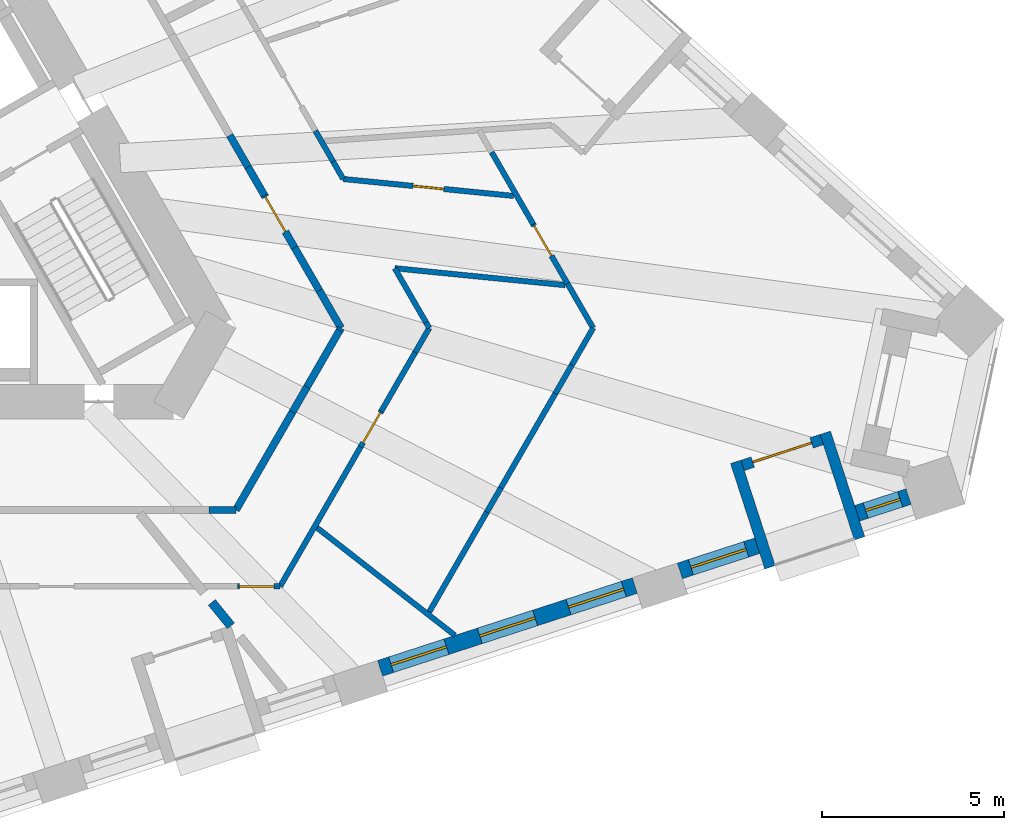
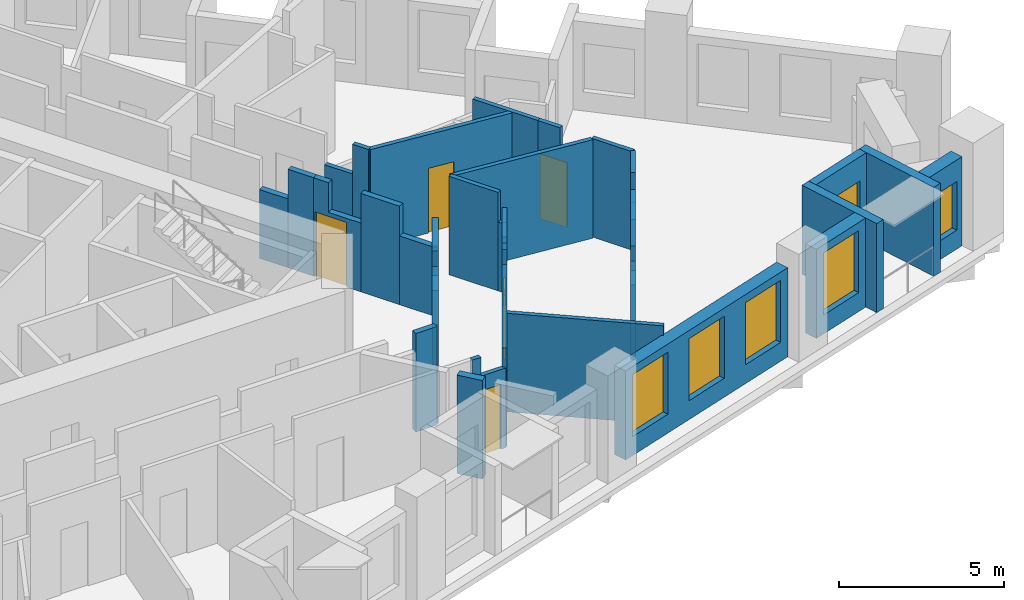
# One storey, part 6 of 13: 37 walls, 6 doors, 5 windows, 11 openings.
"""IFC4 building model written with IfcOpenShell, lengths in metres."""

from ifc_helpers import new_model, si_unit, direction, frame, frame_2d, origin, place, context, subcontext, project, spatial, polyline, rectangle, outline, extrude, material, layer, layer_set, type_object, element, fill, save


model = new_model("IFC4")

# Units and contexts
model_context = context("Model", 3, precision=1e-05, world=origin(), true_north=direction((0.0, 1.0)))
body_context = subcontext(model_context, "Body", "Model", "MODEL_VIEW")
ifc_project = project(units=[si_unit("LENGTHUNIT", "METRE"), si_unit("AREAUNIT", "SQUARE_METRE"), si_unit("VOLUMEUNIT", "CUBIC_METRE"), si_unit("PLANEANGLEUNIT", "RADIAN"), si_unit("MASSUNIT", "GRAM", prefix="KILO")], contexts=[model_context])

# Site, building, storey
site_placement = place(None, origin())
site = spatial("IfcSite", under=ifc_project, at=site_placement, CompositionType="ELEMENT")
building_placement = place(site_placement, origin())
building = spatial("IfcBuilding", under=site, at=building_placement, Name="Tramontana Tower", CompositionType="ELEMENT")
storey_placement = place(building_placement, frame((0.0, 0.0, 116.39990234375)))
storey = spatial("IfcBuildingStorey", under=building, at=storey_placement, Name="L26", CompositionType="ELEMENT", Elevation=116.39990234375)

# Walls
ifc_material_1 = material(Name="Blockwork", Category="masonry")
ifc_layer_1 = layer(ifc_material_1, 0.199951171875)
ifc_layer_set_1 = layer_set([ifc_layer_1], Name="ENTRY WALL 200")
wall_type_1 = type_object("IfcWallType", Name="ENTRY WALL 200", PredefinedType="SOLIDWALL", material=ifc_layer_set_1)
wall_1_placement = place(storey_placement, frame((10.077392578125, 1.04541015625, 0.0), z_axis=(0.0, 0.0, 1.0), x_axis=(0.500051323872, -0.865995769906, 0.0)))
element("IfcWall", 1, at=wall_1_placement, inside=storey, type_object=wall_type_1, Name="Wall v22-ew0-7", PredefinedType="SOLIDWALL", context=body_context, shape_type="SweptSolid", body=[
    extrude(rectangle(XDim=1.0068359375, YDim=0.199951171875, at=frame_2d((0.50341796875, 0.0))), origin(), (0.0, 0.0, 1.0), 2.550048828125),
])
wall_2_placement = place(storey_placement, frame((10.580810546875, 0.173583984375, 0.0), z_axis=(0.0, 0.0, 1.0), x_axis=(0.499902469156, -0.866081705922, 0.0)))
element("IfcWall", 2, at=wall_2_placement, inside=storey, type_object=wall_type_1, Name="Wall v22-ew0-8", PredefinedType="SOLIDWALL", context=body_context, shape_type="SweptSolid", body=[
    extrude(rectangle(XDim=0.900146484375, YDim=0.199951171875, at=frame_2d((0.4501953125, 0.0))), origin(), (0.0, 0.0, 1.0), 3.650146484375),
])

# Wall, opening, door
wall_3_placement = place(storey_placement, frame((11.03076171875, -0.60595703125, 0.0), z_axis=(0.0, 0.0, 1.0), x_axis=(0.49997779057, -0.866038226025, 0.0)))
wall_3 = element("IfcWall", 3, at=wall_3_placement, inside=storey, type_object=wall_type_1, Name="Wall v22-ew0-9", PredefinedType="SOLIDWALL", context=body_context, shape_type="SweptSolid", body=[
    extrude(outline(polyline([(0.0, 0.0), (1.6552734375, 0.0), (1.655517578125, 2.550048828125), (0.519287109375, 2.550048828125), (0.519287109375, 3.650146484375), (0.0, 3.650146484375), (0.0, 0.0)])), frame((0.0, 0.10009765625, 0.0), z_axis=(0.0, -1.0, 0.0), x_axis=(1.0, 0.0, 0.0)), (0.0, 0.0, 1.0), 0.199951171875),
])
opening_1_placement = place(wall_3_placement, frame((0.050048828125, 0.0, 0.0)))
opening_1 = element("IfcOpeningElement", 4, at=opening_1_placement, cuts=wall_3, Name="Opening B2C-24", PredefinedType="OPENING", context=body_context, shape_type="SweptSolid", body=[
    extrude(rectangle(XDim=1.10009765625, YDim=2.39990234375, at=frame_2d((0.550048828125, 1.199951171875))), frame((0.0, 0.10986328125, 0.0), z_axis=(0.0, -1.0, 0.0), x_axis=(1.0, 0.0, 0.0)), (0.0, 0.0, 1.0), 0.219970703125),
])
ifc_material_2 = material(Name="Painted timber", Category="wood")
door_type_1 = type_object("IfcDoorType", Name="DOOR ENTRY 1100", OperationType="SINGLE_SWING_LEFT", PredefinedType="DOOR", material=ifc_material_2)
door_1_placement = place(opening_1_placement, origin())
door_1 = element("IfcDoor", 5, at=door_1_placement, inside=storey, type_object=door_type_1, Name="Door B2C-24", OperationType="SINGLE_SWING_RIGHT", OverallHeight=2.39990234375, OverallWidth=1.10009765625, PredefinedType="DOOR", context=body_context, shape_type="SweptSolid", body=[
    extrude(rectangle(XDim=1.10009765625, YDim=2.39990234375, at=frame_2d((0.550048828125, 1.199951171875))), frame((0.0, 0.02490234375, 0.0), z_axis=(0.0, -1.0, 0.0), x_axis=(1.0, 0.0, 0.0)), (0.0, 0.0, 1.0), 0.050048828125),
])
fill(opening_1, door_1)

# Walls
wall_4_placement = place(storey_placement, frame((11.8583984375, -2.03955078125, 0.0), z_axis=(0.0, 0.0, 1.0), x_axis=(0.500038357328, -0.866003257038, 0.0)))
element("IfcWall", 6, at=wall_4_placement, inside=storey, type_object=wall_type_1, Name="Wall v22-ew0-10", PredefinedType="SOLIDWALL", context=body_context, shape_type="SweptSolid", body=[
    extrude(rectangle(XDim=1.3603515625, YDim=0.199951171875, at=frame_2d((0.68017578125, 0.0))), origin(), (0.0, 0.0, 1.0), 3.650146484375),
])
wall_5_placement = place(storey_placement, frame((12.53857421875, -3.217529296875, 0.0), z_axis=(0.0, 0.0, 1.0), x_axis=(0.500059236744, -0.865991200733, 0.0)))
element("IfcWall", 7, at=wall_5_placement, inside=storey, type_object=wall_type_1, Name="Wall v22-ew0-11", PredefinedType="SOLIDWALL", context=body_context, shape_type="SweptSolid", body=[
    extrude(rectangle(XDim=1.192138671875, YDim=0.199951171875, at=frame_2d((0.59619140625, 0.0))), origin(), (0.0, 0.0, 1.0), 2.550048828125),
])
wall_6_placement = place(storey_placement, frame((13.134765625, -4.25, 0.0), z_axis=(0.0, 0.0, 1.0), x_axis=(-0.501397775159, -0.865216892499, 0.0)))
element("IfcWall", 8, at=wall_6_placement, inside=storey, type_object=wall_type_1, Name="Wall v22-ew1-0", PredefinedType="SOLIDWALL", context=body_context, shape_type="SweptSolid", body=[
    extrude(rectangle(XDim=0.079833984375, YDim=0.199951171875, at=frame_2d((0.0400390625, 0.0))), origin(), (0.0, 0.0, 1.0), 2.550048828125),
])
wall_7_placement = place(storey_placement, frame((13.0947265625, -4.319091796875, 0.0), z_axis=(0.0, 0.0, 1.0), x_axis=(-0.499986405537, -0.866033252409, 0.0)))
element("IfcWall", 9, at=wall_7_placement, inside=storey, type_object=wall_type_1, Name="Wall v22-ew1-1", PredefinedType="SOLIDWALL", context=body_context, shape_type="SweptSolid", body=[
    extrude(rectangle(XDim=1.7880859375, YDim=0.199951171875, at=frame_2d((0.89404296875, 0.0))), origin(), (0.0, 0.0, 1.0), 3.650146484375),
])
wall_8_placement = place(storey_placement, frame((12.20068359375, -5.86767578125, 0.0), z_axis=(0.0, 0.0, 1.0), x_axis=(-0.499942357345, -0.866058681229, 0.0)))
element("IfcWall", 10, at=wall_8_placement, inside=storey, type_object=wall_type_1, Name="Wall v22-ew1-2", PredefinedType="SOLIDWALL", context=body_context, shape_type="SweptSolid", body=[
    extrude(rectangle(XDim=0.80078125, YDim=0.199951171875, at=frame_2d((0.400390625, 0.0))), origin(), (0.0, 0.0, 1.0), 2.75),
])
wall_9_placement = place(storey_placement, frame((11.80029296875, -6.561279296875, 0.0), z_axis=(0.0, 0.0, 1.0), x_axis=(-0.499978855264, -0.866037611359, 0.0)))
element("IfcWall", 11, at=wall_9_placement, inside=storey, type_object=wall_type_1, Name="Wall v22-ew1-3", PredefinedType="SOLIDWALL", context=body_context, shape_type="SweptSolid", body=[
    extrude(rectangle(XDim=3.104736328125, YDim=0.199951171875, at=frame_2d((1.55224609375, 0.0))), origin(), (0.0, 0.0, 1.0), 3.650146484375),
])
wall_10_placement = place(storey_placement, frame((10.248046875, -9.25, 0.0), z_axis=(0.0, 0.0, 1.0), x_axis=(-1.0, 0.0, 0.0)))
element("IfcWall", 12, at=wall_10_placement, inside=storey, type_object=wall_type_1, Name="Wall v22-ew2-0", PredefinedType="SOLIDWALL", context=body_context, shape_type="SweptSolid", body=[
    extrude(rectangle(XDim=0.74365234375, YDim=0.199951171875, at=frame_2d((0.371826171875, 0.0))), origin(), (0.0, 0.0, 1.0), 3.650146484375),
])

# Wall, openings, windows
ifc_material_3 = material(Name="Precast concrete 60 MPa", Category="concrete")
ifc_layer_2 = layer(ifc_material_3, 0.449951171875)
ifc_layer_set_2 = layer_set([ifc_layer_2], Name="Precast concrete 60 MPa, 450 mm")
wall_type_2 = type_object("IfcWallType", Name="EW1 Stone-faced precast wall 450", PredefinedType="SOLIDWALL", material=ifc_layer_set_2)
wall_11_placement = place(storey_placement, frame((14.208251953125, -13.60009765625, 0.0), z_axis=(0.0, 0.0, 1.0), x_axis=(0.951057467065, 0.309014068191, 0.0)))
wall_11 = element("IfcWall", 13, at=wall_11_placement, inside=storey, type_object=wall_type_2, Name="External wall L26 face 1 bay 5", PredefinedType="SOLIDWALL", context=body_context, shape_type="SweptSolid", body=[
    extrude(rectangle(XDim=7.360107421875, YDim=0.449951171875, at=frame_2d((3.68017578125, 0.0))), origin(), (0.0, 0.0, 1.0), 3.300048828125),
])
opening_2_placement = place(wall_11_placement, frame((0.318359375, 0.0, 0.699951171875)))
opening_2 = element("IfcOpeningElement", 14, at=opening_2_placement, cuts=wall_11, Name="Opening M1", PredefinedType="OPENING", context=body_context, shape_type="SweptSolid", body=[
    extrude(rectangle(XDim=1.60009765625, YDim=2.300048828125, at=frame_2d((0.800048828125, 1.14990234375))), frame((0.0, 0.23486328125, 0.0), z_axis=(0.0, -1.0, 0.0), x_axis=(1.0, 0.0, 0.0)), (0.0, 0.0, 1.0), 0.469970703125),
])
opening_3_placement = place(wall_11_placement, frame((2.880126953125, 0.0, 0.699951171875)))
opening_3 = element("IfcOpeningElement", 15, at=opening_3_placement, cuts=wall_11, Name="Opening M1", PredefinedType="OPENING", context=body_context, shape_type="SweptSolid", body=[
    extrude(rectangle(XDim=1.60009765625, YDim=2.300048828125, at=frame_2d((0.800048828125, 1.14990234375))), frame((0.0, 0.23486328125, 0.0), z_axis=(0.0, -1.0, 0.0), x_axis=(1.0, 0.0, 0.0)), (0.0, 0.0, 1.0), 0.469970703125),
])
opening_4_placement = place(wall_11_placement, frame((5.44189453125, 0.0, 0.699951171875)))
opening_4 = element("IfcOpeningElement", 16, at=opening_4_placement, cuts=wall_11, Name="Opening M1", PredefinedType="OPENING", context=body_context, shape_type="SweptSolid", body=[
    extrude(rectangle(XDim=1.60009765625, YDim=2.300048828125, at=frame_2d((0.800048828125, 1.14990234375))), frame((0.0, 0.23486328125, 0.0), z_axis=(0.0, -1.0, 0.0), x_axis=(1.0, 0.0, 0.0)), (0.0, 0.0, 1.0), 0.469970703125),
])
ifc_material_4 = material(Name="Aluminum frame, double glazing unit", Category="aluminium")
window_type_1 = type_object("IfcWindowType", Name="M1 Window 1.6 x 2.3", PartitioningType="SINGLE_PANEL", PredefinedType="WINDOW", material=ifc_material_4)
window_1_placement = place(opening_2_placement, origin())
window_1 = element("IfcWindow", 17, at=window_1_placement, inside=storey, type_object=window_type_1, Name="Window M1 L26 face 1 module 13", OverallHeight=2.300048828125, OverallWidth=1.60009765625, PartitioningType="SINGLE_PANEL", PredefinedType="WINDOW", context=body_context, shape_type="SweptSolid", body=[
    extrude(rectangle(XDim=1.60009765625, YDim=2.300048828125, at=frame_2d((0.800048828125, 1.14990234375))), frame((0.0, 0.030029296875, 0.0), z_axis=(0.0, -1.0, 0.0), x_axis=(1.0, 0.0, 0.0)), (0.0, 0.0, 1.0), 0.06005859375),
])
fill(opening_2, window_1)
window_2_placement = place(opening_3_placement, origin())
window_2 = element("IfcWindow", 18, at=window_2_placement, inside=storey, type_object=window_type_1, Name="Window M1 L26 face 1 module 14", OverallHeight=2.300048828125, OverallWidth=1.60009765625, PartitioningType="SINGLE_PANEL", PredefinedType="WINDOW", context=body_context, shape_type="SweptSolid", body=[
    extrude(rectangle(XDim=1.60009765625, YDim=2.300048828125, at=frame_2d((0.800048828125, 1.14990234375))), frame((0.0, 0.030029296875, 0.0), z_axis=(0.0, -1.0, 0.0), x_axis=(1.0, 0.0, 0.0)), (0.0, 0.0, 1.0), 0.06005859375),
])
fill(opening_3, window_2)
window_3_placement = place(opening_4_placement, origin())
window_3 = element("IfcWindow", 19, at=window_3_placement, inside=storey, type_object=window_type_1, Name="Window M1 L26 face 1 module 15", OverallHeight=2.300048828125, OverallWidth=1.60009765625, PartitioningType="SINGLE_PANEL", PredefinedType="WINDOW", context=body_context, shape_type="SweptSolid", body=[
    extrude(rectangle(XDim=1.60009765625, YDim=2.300048828125, at=frame_2d((0.800048828125, 1.14990234375))), frame((0.0, 0.030029296875, 0.0), z_axis=(0.0, -1.0, 0.0), x_axis=(1.0, 0.0, 0.0)), (0.0, 0.0, 1.0), 0.06005859375),
])
fill(opening_4, window_3)

# Wall, opening, window
wall_12_placement = place(storey_placement, frame((22.444580078125, -10.923828125, 0.0), z_axis=(0.0, 0.0, 1.0), x_axis=(0.951067749801, 0.30898241906, 0.0)))
wall_12 = element("IfcWall", 20, at=wall_12_placement, inside=storey, type_object=wall_type_2, Name="External wall L26 face 1 bay 6", PredefinedType="SOLIDWALL", context=body_context, shape_type="SweptSolid", body=[
    extrude(rectangle(XDim=2.23681640625, YDim=0.449951171875, at=frame_2d((1.118408203125, 0.0))), origin(), (0.0, 0.0, 1.0), 3.300048828125),
])
opening_5_placement = place(wall_12_placement, frame((0.318359375, 0.0, 0.699951171875)))
opening_5 = element("IfcOpeningElement", 21, at=opening_5_placement, cuts=wall_12, Name="Opening M1", PredefinedType="OPENING", context=body_context, shape_type="SweptSolid", body=[
    extrude(rectangle(XDim=1.60009765625, YDim=2.300048828125, at=frame_2d((0.800048828125, 1.14990234375))), frame((0.0, 0.23486328125, 0.0), z_axis=(0.0, -1.0, 0.0), x_axis=(1.0, 0.0, 0.0)), (0.0, 0.0, 1.0), 0.469970703125),
])
window_4_placement = place(opening_5_placement, origin())
window_4 = element("IfcWindow", 22, at=window_4_placement, inside=storey, type_object=window_type_1, Name="Window M1 L26 face 1 module 16", OverallHeight=2.300048828125, OverallWidth=1.60009765625, PartitioningType="SINGLE_PANEL", PredefinedType="WINDOW", context=body_context, shape_type="SweptSolid", body=[
    extrude(rectangle(XDim=1.60009765625, YDim=2.300048828125, at=frame_2d((0.800048828125, 1.14990234375))), frame((0.0, 0.030029296875, 0.0), z_axis=(0.0, -1.0, 0.0), x_axis=(1.0, 0.0, 0.0)), (0.0, 0.0, 1.0), 0.06005859375),
])
fill(opening_5, window_4)

wall_13_placement = place(storey_placement, frame((27.3173828125, -9.340576171875, 0.0), z_axis=(0.0, 0.0, 1.0), x_axis=(0.951053373744, 0.309026665985, 0.0)))
wall_13 = element("IfcWall", 23, at=wall_13_placement, inside=storey, type_object=wall_type_2, Name="External wall L26 face 1 bay 6", PredefinedType="SOLIDWALL", context=body_context, shape_type="SweptSolid", body=[
    extrude(rectangle(XDim=1.48681640625, YDim=0.449951171875, at=frame_2d((0.743408203125, 0.0))), origin(), (0.0, 0.0, 1.0), 3.300048828125),
])
opening_6_placement = place(wall_13_placement, frame((0.243408203125, 0.0, 0.699951171875)))
opening_6 = element("IfcOpeningElement", 24, at=opening_6_placement, cuts=wall_13, Name="Opening N1L", PredefinedType="OPENING", context=body_context, shape_type="SweptSolid", body=[
    extrude(rectangle(XDim=1.0, YDim=1.800048828125, at=frame_2d((0.5, 0.89990234375))), frame((0.0, 0.23486328125, 0.0), z_axis=(0.0, -1.0, 0.0), x_axis=(1.0, 0.0, 0.0)), (0.0, 0.0, 1.0), 0.469970703125),
])
ifc_material_5 = material(Name="Aluminum frame, double glazing unit", Category="aluminium")
window_type_2 = type_object("IfcWindowType", Name="N1L Window 1 x 1.8", PartitioningType="SINGLE_PANEL", PredefinedType="WINDOW", material=ifc_material_5)
window_5_placement = place(opening_6_placement, origin())
window_5 = element("IfcWindow", 25, at=window_5_placement, inside=storey, type_object=window_type_2, Name="Window N1L L26 face 1 module 18", OverallHeight=1.800048828125, OverallWidth=1.0, PartitioningType="SINGLE_PANEL", PredefinedType="WINDOW", context=body_context, shape_type="SweptSolid", body=[
    extrude(rectangle(XDim=1.0, YDim=1.800048828125, at=frame_2d((0.5, 0.89990234375))), frame((0.0, 0.030029296875, 0.0), z_axis=(0.0, -1.0, 0.0), x_axis=(1.0, 0.0, 0.0)), (0.0, 0.0, 1.0), 0.06005859375),
])
fill(opening_6, window_5)

# Wall, opening, door
ifc_material_6 = material(Name="Precast concrete 60 MPa", Category="concrete")
ifc_layer_3 = layer(ifc_material_6, 0.300048828125)
ifc_layer_set_3 = layer_set([ifc_layer_3], Name="LW1 Stone-faced loggia wall 300")
wall_type_3 = type_object("IfcWallType", Name="LW1 Stone-faced loggia wall 300", PredefinedType="SOLIDWALL", material=ifc_layer_set_3)
wall_14_placement = place(storey_placement, frame((24.169677734375, -8.02392578125, 0.0), z_axis=(0.0, 0.0, 1.0), x_axis=(0.95103720697, 0.309076416051, 0.0)))
wall_14 = element("IfcWall", 26, at=wall_14_placement, inside=storey, type_object=wall_type_3, Name="Loggia wall L26 G2S1.16", PredefinedType="SOLIDWALL", context=body_context, shape_type="SweptSolid", body=[
    extrude(rectangle(XDim=2.286865234375, YDim=0.300048828125, at=frame_2d((1.1435546875, 0.0))), origin(), (0.0, 0.0, 1.0), 3.300048828125),
])
opening_7_placement = place(wall_14_placement, frame((0.29345703125, 0.0, 0.0)))
opening_7 = element("IfcOpeningElement", 27, at=opening_7_placement, cuts=wall_14, Name="Opening BD-2S1-16", PredefinedType="OPENING", context=body_context, shape_type="SweptSolid", body=[
    extrude(rectangle(XDim=1.699951171875, YDim=2.39990234375, at=frame_2d((0.85009765625, 1.199951171875))), frame((0.0, 0.159912109375, 0.0), z_axis=(0.0, -1.0, 0.0), x_axis=(1.0, 0.0, 0.0)), (0.0, 0.0, 1.0), 0.320068359375),
])
ifc_material_7 = material(Name="Aluminum frame, double glazing unit", Category="aluminium")
door_type_2 = type_object("IfcDoorType", Name="BD1 Sliding door 1.7 x 2.4", OperationType="SLIDING_TO_LEFT", PredefinedType="DOOR", material=ifc_material_7)
door_2_placement = place(opening_7_placement, origin())
door_2 = element("IfcDoor", 28, at=door_2_placement, inside=storey, type_object=door_type_2, Name="Loggia door L26 G2S1.16", OperationType="SLIDING_TO_LEFT", OverallHeight=2.39990234375, OverallWidth=1.699951171875, PredefinedType="DOOR", context=body_context, shape_type="SweptSolid", body=[
    extrude(rectangle(XDim=1.699951171875, YDim=2.39990234375, at=frame_2d((0.85009765625, 1.199951171875))), frame((0.0, 0.02490234375, 0.0), z_axis=(0.0, -1.0, 0.0), x_axis=(1.0, 0.0, 0.0)), (0.0, 0.0, 1.0), 0.050048828125),
])
fill(opening_7, door_2)

# Walls
wall_15_placement = place(storey_placement, frame((24.923095703125, -10.828369140625, 0.0), z_axis=(0.0, 0.0, 1.0), x_axis=(-0.308966615996, 0.951072883748, 0.0)))
element("IfcWall", 29, at=wall_15_placement, inside=storey, type_object=wall_type_3, Name="Loggia return L26 G2S1.16a", PredefinedType="SOLIDWALL", context=body_context, shape_type="SweptSolid", body=[
    extrude(rectangle(XDim=3.050048828125, YDim=0.300048828125, at=frame_2d((1.52490234375, 0.0))), origin(), (0.0, 0.0, 1.0), 3.300048828125),
])
wall_16_placement = place(storey_placement, frame((27.38330078125, -10.02880859375, 0.0), z_axis=(0.0, 0.0, 1.0), x_axis=(-0.308990138358, 0.951065241925, 0.0)))
element("IfcWall", 30, at=wall_16_placement, inside=storey, type_object=wall_type_3, Name="Loggia return L26 G2S1.16b", PredefinedType="SOLIDWALL", context=body_context, shape_type="SweptSolid", body=[
    extrude(rectangle(XDim=3.0498046875, YDim=0.300048828125, at=frame_2d((1.52490234375, 0.0))), origin(), (0.0, 0.0, 1.0), 3.300048828125),
])
ifc_material_8 = material(Name="Gypsum board partition")
ifc_layer_4 = layer(ifc_material_8, 0.14990234375)
ifc_layer_set_4 = layer_set([ifc_layer_4], Name="PARTITION 150")
wall_type_4 = type_object("IfcWallType", Name="PARTITION 150", PredefinedType="PARTITIONING", material=ifc_layer_set_4)
wall_17_placement = place(storey_placement, frame((12.429443359375, 1.171630859375, 0.0), z_axis=(0.0, 0.0, 1.0), x_axis=(0.499895202697, -0.866085900082, 0.0)))
element("IfcWall", 31, at=wall_17_placement, inside=storey, type_object=wall_type_4, Name="Wall v22-pw30-6", PredefinedType="PARTITIONING", context=body_context, shape_type="SweptSolid", body=[
    extrude(rectangle(XDim=0.978759765625, YDim=0.14990234375, at=frame_2d((0.4892578125, 0.0))), origin(), (0.0, 0.0, 1.0), 2.550048828125),
])
wall_18_placement = place(storey_placement, frame((12.918701171875, 0.323974609375, 0.0), z_axis=(0.0, 0.0, 1.0), x_axis=(0.500079039045, -0.865979765761, 0.0)))
element("IfcWall", 32, at=wall_18_placement, inside=storey, type_object=wall_type_4, Name="Wall v22-pw30-7", PredefinedType="PARTITIONING", context=body_context, shape_type="SweptSolid", body=[
    extrude(rectangle(XDim=0.55322265625, YDim=0.14990234375, at=frame_2d((0.276611328125, 0.0))), origin(), (0.0, 0.0, 1.0), 3.650146484375),
])

# Wall, opening, door
wall_19_placement = place(storey_placement, frame((11.46044921875, -11.35009765625, 0.0), z_axis=(0.0, 0.0, 1.0), x_axis=(-1.0, 0.0, 0.0)))
wall_19 = element("IfcWall", 33, at=wall_19_placement, inside=storey, type_object=wall_type_4, Name="Wall v22-pw35-0", PredefinedType="PARTITIONING", context=body_context, shape_type="SweptSolid", body=[
    extrude(outline(polyline([(0.0, 0.0), (1.170166015625, 0.0), (1.169921875, 3.650146484375), (0.869384765625, 3.650146484375), (0.869384765625, 2.9501953125), (0.0, 2.9501953125), (0.0, 0.0)])), frame((0.0, 0.074951171875, 0.0), z_axis=(0.0, -1.0, 0.0), x_axis=(1.0, 0.0, 0.0)), (0.0, 0.0, 1.0), 0.14990234375),
])
opening_8_placement = place(wall_19_placement, frame((0.169921875, 0.0, 0.0)))
opening_8 = element("IfcOpeningElement", 34, at=opening_8_placement, cuts=wall_19, Name="Opening B2C-18", PredefinedType="OPENING", context=body_context, shape_type="SweptSolid", body=[
    extrude(rectangle(XDim=0.949951171875, YDim=2.39990234375, at=frame_2d((0.47509765625, 1.199951171875))), frame((0.0, 0.0849609375, 0.0), z_axis=(0.0, -1.0, 0.0), x_axis=(1.0, 0.0, 0.0)), (0.0, 0.0, 1.0), 0.169921875),
])
ifc_material_9 = material(Name="Painted timber", Category="wood")
door_type_3 = type_object("IfcDoorType", Name="DOOR ROOM 950", OperationType="SINGLE_SWING_LEFT", PredefinedType="DOOR", material=ifc_material_9)
door_3_placement = place(opening_8_placement, origin())
door_3 = element("IfcDoor", 35, at=door_3_placement, inside=storey, type_object=door_type_3, Name="Door B2C-18", OperationType="SINGLE_SWING_RIGHT", OverallHeight=2.39990234375, OverallWidth=0.949951171875, PredefinedType="DOOR", context=body_context, shape_type="SweptSolid", body=[
    extrude(rectangle(XDim=0.949951171875, YDim=2.39990234375, at=frame_2d((0.47509765625, 1.199951171875))), frame((0.0, 0.02490234375, 0.0), z_axis=(0.0, -1.0, 0.0), x_axis=(1.0, 0.0, 0.0)), (0.0, 0.0, 1.0), 0.050048828125),
])
fill(opening_8, door_3)

wall_20_placement = place(storey_placement, frame((13.1953125, -0.155029296875, 0.0), z_axis=(0.0, 0.0, 1.0), x_axis=(0.995099623446, -0.098877395889, 0.0)))
wall_20 = element("IfcWall", 36, at=wall_20_placement, inside=storey, type_object=wall_type_4, Name="Wall v22-pw37", PredefinedType="PARTITIONING", context=body_context, shape_type="SweptSolid", body=[
    extrude(rectangle(XDim=4.708740234375, YDim=0.14990234375, at=frame_2d((2.3544921875, 0.0))), origin(), (0.0, 0.0, 1.0), 3.650146484375),
])
opening_9_placement = place(wall_20_placement, frame((1.92919921875, 0.0, 0.0)))
opening_9 = element("IfcOpeningElement", 37, at=opening_9_placement, cuts=wall_20, Name="Opening B2C-16", PredefinedType="OPENING", context=body_context, shape_type="SweptSolid", body=[
    extrude(rectangle(XDim=0.85009765625, YDim=2.39990234375, at=frame_2d((0.425048828125, 1.199951171875))), frame((0.0, 0.0849609375, 0.0), z_axis=(0.0, -1.0, 0.0), x_axis=(1.0, 0.0, 0.0)), (0.0, 0.0, 1.0), 0.169921875),
])
ifc_material_10 = material(Name="Painted timber", Category="wood")
door_type_4 = type_object("IfcDoorType", Name="DOOR BATH 850", OperationType="SINGLE_SWING_LEFT", PredefinedType="DOOR", material=ifc_material_10)
door_4_placement = place(opening_9_placement, origin())
door_4 = element("IfcDoor", 38, at=door_4_placement, inside=storey, type_object=door_type_4, Name="Door B2C-16", OperationType="SINGLE_SWING_RIGHT", OverallHeight=2.39990234375, OverallWidth=0.85009765625, PredefinedType="DOOR", context=body_context, shape_type="SweptSolid", body=[
    extrude(rectangle(XDim=0.85009765625, YDim=2.39990234375, at=frame_2d((0.425048828125, 1.199951171875))), frame((0.0, 0.02490234375, 0.0), z_axis=(0.0, -1.0, 0.0), x_axis=(1.0, 0.0, 0.0)), (0.0, 0.0, 1.0), 0.050048828125),
])
fill(opening_9, door_4)

# Walls
wall_21_placement = place(storey_placement, frame((14.611083984375, -2.60693359375, 0.0), z_axis=(0.0, 0.0, 1.0), x_axis=(0.499890896288, -0.866088385679, 0.0)))
element("IfcWall", 39, at=wall_21_placement, inside=storey, type_object=wall_type_4, Name="Wall v22-pw40-0", PredefinedType="PARTITIONING", context=body_context, shape_type="SweptSolid", body=[
    extrude(rectangle(XDim=1.71484375, YDim=0.14990234375, at=frame_2d((0.857421875, 0.0))), origin(), (0.0, 0.0, 1.0), 3.650146484375),
])
wall_22_placement = place(storey_placement, frame((15.46826171875, -4.092041015625, 0.0), z_axis=(0.0, 0.0, 1.0), x_axis=(0.50045593687, -0.865762008436, 0.0)))
element("IfcWall", 40, at=wall_22_placement, inside=storey, type_object=wall_type_4, Name="Wall v22-pw40-1", PredefinedType="PARTITIONING", context=body_context, shape_type="SweptSolid", body=[
    extrude(rectangle(XDim=0.182373046875, YDim=0.14990234375, at=frame_2d((0.09130859375, 0.0))), origin(), (0.0, 0.0, 1.0), 2.550048828125),
])
wall_23_placement = place(storey_placement, frame((15.5595703125, -4.25, 0.0), z_axis=(0.0, 0.0, 1.0), x_axis=(-0.500124558158, -0.865953478154, 0.0)))
element("IfcWall", 41, at=wall_23_placement, inside=storey, type_object=wall_type_4, Name="Wall v22-pw42-0", PredefinedType="PARTITIONING", context=body_context, shape_type="SweptSolid", body=[
    extrude(rectangle(XDim=0.770751953125, YDim=0.14990234375, at=frame_2d((0.38525390625, 0.0))), origin(), (0.0, 0.0, 1.0), 2.550048828125),
])
wall_24_placement = place(storey_placement, frame((15.174072265625, -4.91748046875, 0.0), z_axis=(0.0, 0.0, 1.0), x_axis=(-0.49996389635, -0.866046247233, 0.0)))
element("IfcWall", 42, at=wall_24_placement, inside=storey, type_object=wall_type_4, Name="Wall v22-pw42-1", PredefinedType="PARTITIONING", context=body_context, shape_type="SweptSolid", body=[
    extrude(rectangle(XDim=1.867431640625, YDim=0.14990234375, at=frame_2d((0.93359375, 0.0))), origin(), (0.0, 0.0, 1.0), 3.650146484375),
])

# Wall, opening, door
wall_25_placement = place(storey_placement, frame((14.240478515625, -6.53466796875, 0.0), z_axis=(0.0, 0.0, 1.0), x_axis=(-0.499958437573, -0.866049398533, 0.0)))
wall_25 = element("IfcWall", 43, at=wall_25_placement, inside=storey, type_object=wall_type_4, Name="Wall v22-pw42-2", PredefinedType="PARTITIONING", context=body_context, shape_type="SweptSolid", body=[
    extrude(outline(polyline([(0.0, 0.0), (1.13427734375, 0.0), (1.13427734375, 2.75), (0.3583984375, 2.75), (0.3583984375, 3.650146484375), (0.0, 3.650146484375), (0.0, 0.0)])), frame((0.0, 0.074951171875, 0.0), z_axis=(0.0, -1.0, 0.0), x_axis=(1.0, 0.0, 0.0)), (0.0, 0.0, 1.0), 0.14990234375),
])
opening_10_placement = place(wall_25_placement, frame((0.050048828125, 0.0, 0.0)))
opening_10 = element("IfcOpeningElement", 44, at=opening_10_placement, cuts=wall_25, Name="Opening B2C-15", PredefinedType="OPENING", context=body_context, shape_type="SweptSolid", body=[
    extrude(rectangle(XDim=0.949951171875, YDim=2.39990234375, at=frame_2d((0.47509765625, 1.199951171875))), frame((0.0, 0.0849609375, 0.0), z_axis=(0.0, -1.0, 0.0), x_axis=(1.0, 0.0, 0.0)), (0.0, 0.0, 1.0), 0.169921875),
])
door_5_placement = place(opening_10_placement, origin())
door_5 = element("IfcDoor", 45, at=door_5_placement, inside=storey, type_object=door_type_3, Name="Door B2C-15", OperationType="SINGLE_SWING_LEFT", OverallHeight=2.39990234375, OverallWidth=0.949951171875, PredefinedType="DOOR", context=body_context, shape_type="SweptSolid", body=[
    extrude(rectangle(XDim=0.949951171875, YDim=2.39990234375, at=frame_2d((0.47509765625, 1.199951171875))), frame((0.0, 0.02490234375, 0.0), z_axis=(0.0, -1.0, 0.0), x_axis=(1.0, 0.0, 0.0)), (0.0, 0.0, 1.0), 0.050048828125),
])
fill(opening_10, door_5)

# Walls
wall_26_placement = place(storey_placement, frame((13.67333984375, -7.51708984375, 0.0), z_axis=(0.0, 0.0, 1.0), x_axis=(-0.499983483481, -0.866034939391, 0.0)))
element("IfcWall", 46, at=wall_26_placement, inside=storey, type_object=wall_type_4, Name="Wall v22-pw42-3", PredefinedType="PARTITIONING", context=body_context, shape_type="SweptSolid", body=[
    extrude(rectangle(XDim=4.426025390625, YDim=0.14990234375, at=frame_2d((2.212890625, 0.0))), origin(), (0.0, 0.0, 1.0), 3.650146484375),
])
wall_27_placement = place(storey_placement, frame((16.265869140625, -12.69482421875, 0.0), z_axis=(0.0, 0.0, 1.0), x_axis=(-0.788311576482, 0.615276245587, 0.0)))
element("IfcWall", 47, at=wall_27_placement, inside=storey, type_object=wall_type_4, Name="Wall v22-pw43", PredefinedType="PARTITIONING", context=body_context, shape_type="SweptSolid", body=[
    extrude(rectangle(XDim=4.8056640625, YDim=0.14990234375, at=frame_2d((2.40283203125, 0.0))), origin(), (0.0, 0.0, 1.0), 3.650146484375),
])
wall_28_placement = place(storey_placement, frame((17.273681640625, 0.5810546875, 0.0), z_axis=(0.0, 0.0, 1.0), x_axis=(0.500030411023, -0.86600784526, 0.0)))
element("IfcWall", 48, at=wall_28_placement, inside=storey, type_object=wall_type_4, Name="Wall v22-pw45-1", PredefinedType="PARTITIONING", context=body_context, shape_type="SweptSolid", body=[
    extrude(rectangle(XDim=2.287353515625, YDim=0.14990234375, at=frame_2d((1.1435546875, 0.0))), origin(), (0.0, 0.0, 1.0), 3.650146484375),
])

# Wall, opening, door
wall_29_placement = place(storey_placement, frame((18.41748046875, -1.39990234375, 0.0), z_axis=(0.0, 0.0, 1.0), x_axis=(0.499962016178, -0.866047332643, 0.0)))
wall_29 = element("IfcWall", 49, at=wall_29_placement, inside=storey, type_object=wall_type_4, Name="Wall v22-pw45-2", PredefinedType="PARTITIONING", context=body_context, shape_type="SweptSolid", body=[
    extrude(outline(polyline([(0.0, 0.0), (1.882080078125, 0.0), (1.8818359375, 2.550048828125), (0.777099609375, 2.550048828125), (0.777099609375, 3.650146484375), (0.0, 3.650146484375), (0.0, 0.0)])), frame((0.0, 0.074951171875, 0.0), z_axis=(0.0, -1.0, 0.0), x_axis=(1.0, 0.0, 0.0)), (0.0, 0.0, 1.0), 0.14990234375),
])
opening_11_placement = place(wall_29_placement, frame((0.050048828125, 0.0, 0.0)))
opening_11 = element("IfcOpeningElement", 50, at=opening_11_placement, cuts=wall_29, Name="Opening B2C-17", PredefinedType="OPENING", context=body_context, shape_type="SweptSolid", body=[
    extrude(rectangle(XDim=0.949951171875, YDim=2.39990234375, at=frame_2d((0.47509765625, 1.199951171875))), frame((0.0, 0.0849609375, 0.0), z_axis=(0.0, -1.0, 0.0), x_axis=(1.0, 0.0, 0.0)), (0.0, 0.0, 1.0), 0.169921875),
])
door_6_placement = place(opening_11_placement, origin())
door_6 = element("IfcDoor", 51, at=door_6_placement, inside=storey, type_object=door_type_3, Name="Door B2C-17", OperationType="SINGLE_SWING_LEFT", OverallHeight=2.39990234375, OverallWidth=0.949951171875, PredefinedType="DOOR", context=body_context, shape_type="SweptSolid", body=[
    extrude(rectangle(XDim=0.949951171875, YDim=2.39990234375, at=frame_2d((0.47509765625, 1.199951171875))), frame((0.0, 0.02490234375, 0.0), z_axis=(0.0, -1.0, 0.0), x_axis=(1.0, 0.0, 0.0)), (0.0, 0.0, 1.0), 0.050048828125),
])
fill(opening_11, door_6)

# Walls
wall_30_placement = place(storey_placement, frame((19.3583984375, -3.02978515625, 0.0), z_axis=(0.0, 0.0, 1.0), x_axis=(0.500052415518, -0.865995139556, 0.0)))
element("IfcWall", 52, at=wall_30_placement, inside=storey, type_object=wall_type_4, Name="Wall v22-pw45-3", PredefinedType="PARTITIONING", context=body_context, shape_type="SweptSolid", body=[
    extrude(rectangle(XDim=1.408935546875, YDim=0.14990234375, at=frame_2d((0.70458984375, 0.0))), origin(), (0.0, 0.0, 1.0), 3.650146484375),
])
wall_31_placement = place(storey_placement, frame((19.29638671875, -3.072509765625, 0.0), z_axis=(0.0, 0.0, 1.0), x_axis=(-0.995099116486, 0.098882497793, 0.0)))
element("IfcWall", 53, at=wall_31_placement, inside=storey, type_object=wall_type_4, Name="Wall v22-pw47", PredefinedType="PARTITIONING", context=body_context, shape_type="SweptSolid", body=[
    extrude(rectangle(XDim=4.70849609375, YDim=0.14990234375, at=frame_2d((2.354248046875, 0.0))), origin(), (0.0, 0.0, 1.0), 3.650146484375),
])
wall_32_placement = place(storey_placement, frame((20.06298828125, -4.25, 0.0), z_axis=(0.0, 0.0, 1.0), x_axis=(-0.500063427972, -0.865988780531, 0.0)))
element("IfcWall", 54, at=wall_32_placement, inside=storey, type_object=wall_type_4, Name="Wall v22-pw49-0", PredefinedType="PARTITIONING", context=body_context, shape_type="SweptSolid", body=[
    extrude(rectangle(XDim=1.177490234375, YDim=0.14990234375, at=frame_2d((0.5888671875, 0.0))), origin(), (0.0, 0.0, 1.0), 3.650146484375),
])
wall_33_placement = place(storey_placement, frame((19.47412109375, -5.269775390625, 0.0), z_axis=(0.0, 0.0, 1.0), x_axis=(-0.499988457423, -0.866032067792, 0.0)))
element("IfcWall", 55, at=wall_33_placement, inside=storey, type_object=wall_type_4, Name="Wall v22-pw49-1", PredefinedType="PARTITIONING", context=body_context, shape_type="SweptSolid", body=[
    extrude(rectangle(XDim=0.900390625, YDim=0.14990234375, at=frame_2d((0.4501953125, 0.0))), origin(), (0.0, 0.0, 1.0), 2.550048828125),
])
wall_34_placement = place(storey_placement, frame((19.02392578125, -6.049560546875, 0.0), z_axis=(0.0, 0.0, 1.0), x_axis=(-0.500009728207, -0.866019787128, 0.0)))
element("IfcWall", 56, at=wall_34_placement, inside=storey, type_object=wall_type_4, Name="Wall v22-pw49-2", PredefinedType="PARTITIONING", context=body_context, shape_type="SweptSolid", body=[
    extrude(rectangle(XDim=2.99169921875, YDim=0.14990234375, at=frame_2d((1.495849609375, 0.0))), origin(), (0.0, 0.0, 1.0), 3.650146484375),
])
wall_35_placement = place(storey_placement, frame((17.528076171875, -8.640380859375, 0.0), z_axis=(0.0, 0.0, 1.0), x_axis=(-0.500031167255, -0.866007408613, 0.0)))
element("IfcWall", 57, at=wall_35_placement, inside=storey, type_object=wall_type_4, Name="Wall v22-pw49-3", PredefinedType="PARTITIONING", context=body_context, shape_type="SweptSolid", body=[
    extrude(rectangle(XDim=0.77587890625, YDim=0.14990234375, at=frame_2d((0.387939453125, 0.0))), origin(), (0.0, 0.0, 1.0), 2.75),
])
wall_36_placement = place(storey_placement, frame((17.14013671875, -9.312255859375, 0.0), z_axis=(0.0, 0.0, 1.0), x_axis=(-0.499969915316, -0.866042772488, 0.0)))
element("IfcWall", 58, at=wall_36_placement, inside=storey, type_object=wall_type_4, Name="Wall v22-pw49-4", PredefinedType="PARTITIONING", context=body_context, shape_type="SweptSolid", body=[
    extrude(rectangle(XDim=3.159912109375, YDim=0.14990234375, at=frame_2d((1.580078125, 0.0))), origin(), (0.0, 0.0, 1.0), 3.650146484375),
])
ifc_material_11 = material(Name="Blockwork", Category="masonry")
ifc_layer_5 = layer(ifc_material_11, 0.25)
ifc_layer_set_5 = layer_set([ifc_layer_5], Name="PARTY WALL 250")
wall_type_5 = type_object("IfcWallType", Name="PARTY WALL 250", PredefinedType="SOLIDWALL", material=ifc_layer_set_5)
wall_37_placement = place(storey_placement, frame((9.58544921875, -11.7880859375, 0.0), z_axis=(0.0, 0.0, 1.0), x_axis=(0.63096784823, -0.775808980677, 0.0)))
element("IfcWall", 59, at=wall_37_placement, inside=storey, type_object=wall_type_5, Name="Wall v22-pw32", PredefinedType="SOLIDWALL", context=body_context, shape_type="SweptSolid", body=[
    extrude(rectangle(XDim=0.832763671875, YDim=0.25, at=frame_2d((0.41650390625, 0.0))), origin(), (0.0, 0.0, 1.0), 3.650146484375),
])

save(model, "model.ifc")
